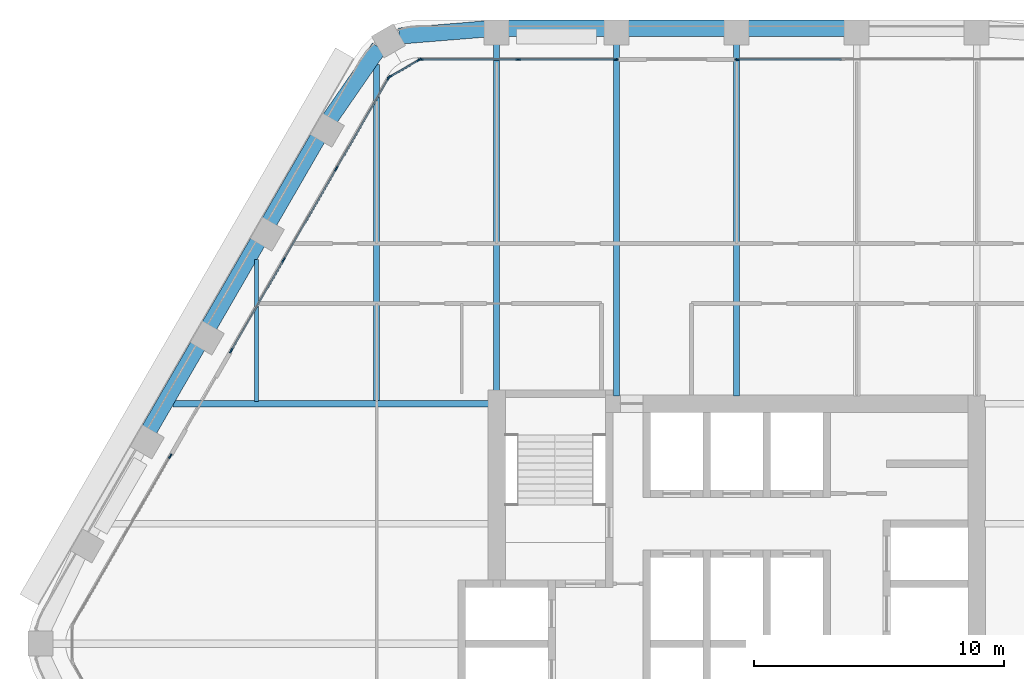
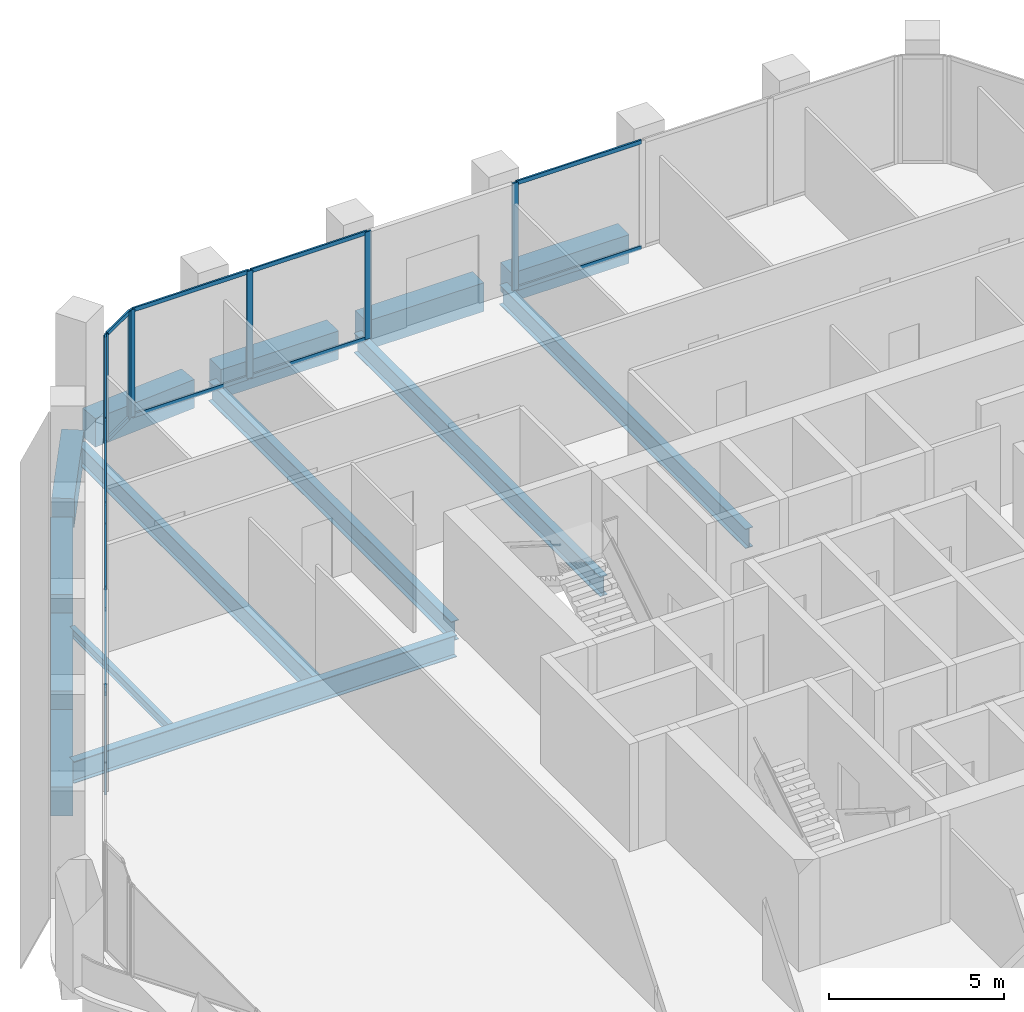
# One storey, part 5 of 15: 25 members, 14 beams, 5 elements without a shape of their own.
"""IFC4 building model written with IfcOpenShell, lengths in metres."""

import ifcopenshell
import ifcopenshell.guid

model = None  # the IFC model being written
_history = None  # IfcOwnerHistory: only IFC2X3 demands one
_inside = {}  # id of a spatial element -> (the spatial element, [elements in it])
_under = {}  # id of a project, library or spatial element -> (it, [spatial elements below it])
_declared = {}  # id of a project -> (the project, [libraries it declares])
_typed = {}  # id of a type object -> (the type object, [elements of that type])
_made_of = {}  # id of a material, layer set ... -> (it, [elements and type objects made of it])


def new_model(schema):
    """Start an empty IFC model of exactly this schema.

    Asked for "IFC4X3", IfcOpenShell would pick the latest addendum, in which some entities
    have other attributes; the version numbers below select the first issue.
    IFC2X3 requires an IfcOwnerHistory on every rooted entity: one is made here for all.
    """
    global model, _history
    if schema == "IFC4X3":
        model = ifcopenshell.file(schema_version=(4, 3, 0, 0))
    else:
        model = ifcopenshell.file(schema=schema)
    _inside.clear()
    _under.clear()
    _declared.clear()
    _typed.clear()
    _made_of.clear()
    _history = None
    if model.schema == "IFC2X3":
        org = make("IfcOrganization", Name="unknown")
        user = make(
            "IfcPersonAndOrganization",
            ThePerson=make("IfcPerson", FamilyName="unknown"),
            TheOrganization=org,
        )
        app = make(
            "IfcApplication",
            ApplicationDeveloper=org,
            Version="unknown",
            ApplicationFullName="unknown",
            ApplicationIdentifier="unknown",
        )
        _history = make(
            "IfcOwnerHistory",
            OwningUser=user,
            OwningApplication=app,
            ChangeAction="ADDED",
            CreationDate=0,
        )
    return model


def make(cls, **values):
    """One entity of the class cls with the attributes given. An attribute that is None is left unset."""
    return model.create_entity(
        cls, **{name: value for name, value in values.items() if value is not None}
    )


def rooted(cls, **values):
    """An entity with a GlobalId (a new one), such as an element, a storey or a relation."""
    return make(cls, GlobalId=ifcopenshell.guid.new(), OwnerHistory=_history, **values)


def si_unit(unit_type, name, prefix=None):
    """IfcSIUnit, for example si_unit("LENGTHUNIT", "METRE", prefix="MILLI")."""
    return make("IfcSIUnit", UnitType=unit_type, Prefix=prefix, Name=name)


def assignment(units):
    """IfcUnitAssignment: the units of a project."""
    return None if units is None else make("IfcUnitAssignment", Units=units)


def point(xyz):
    """IfcCartesianPoint."""
    return None if xyz is None else make("IfcCartesianPoint", Coordinates=xyz)


def direction(xyz):
    """IfcDirection."""
    return None if xyz is None else make("IfcDirection", DirectionRatios=xyz)


def frame(location, z_axis=None, x_axis=None):
    """IfcAxis2Placement3D, a coordinate frame: its origin and axes. An axis left out is left unset."""
    return make(
        "IfcAxis2Placement3D",
        Location=point(location),
        Axis=direction(z_axis),
        RefDirection=direction(x_axis),
    )


def frame_2d(location, x_axis=None):
    """IfcAxis2Placement2D, a coordinate frame in the plane: its origin and x axis."""
    return make(
        "IfcAxis2Placement2D", Location=point(location), RefDirection=direction(x_axis)
    )


def origin():
    """The frame at (0, 0, 0) with its axes left unset."""
    return frame((0.0, 0.0, 0.0))


def origin_2d():
    """The frame at (0, 0) in the plane with its x axis left unset."""
    return frame_2d((0.0, 0.0))


def place(relative_to, where):
    """IfcLocalPlacement: puts the frame where relative to a parent placement (None: the world)."""
    return make(
        "IfcLocalPlacement", PlacementRelTo=relative_to, RelativePlacement=where
    )


def context(
    kind, dimensions, precision=None, world=None, true_north=None, identifier=None
):
    """IfcGeometricRepresentationContext, for example the 3D "Model" context."""
    return make(
        "IfcGeometricRepresentationContext",
        ContextIdentifier=identifier,
        ContextType=kind,
        CoordinateSpaceDimension=dimensions,
        Precision=precision,
        WorldCoordinateSystem=world,
        TrueNorth=true_north,
    )


def subcontext(parent, identifier, kind, view, scale=None):
    """IfcGeometricRepresentationSubContext, for example "Body" below "Model"."""
    return make(
        "IfcGeometricRepresentationSubContext",
        ContextIdentifier=identifier,
        ContextType=kind,
        ParentContext=parent,
        TargetScale=scale,
        TargetView=view,
    )


def project(units=None, contexts=None):
    """IfcProject with its units and contexts."""
    return rooted(
        "IfcProject",
        Name="project",
        RepresentationContexts=contexts,
        UnitsInContext=assignment(units),
    )


def spatial(cls, under=None, at=None, **own):
    """A site, building, storey or space (cls), placed at a placement, below another one or the project."""
    s = rooted(cls, ObjectPlacement=at, **own)
    if under is not None:
        _under.setdefault(under.id(), (under, []))[1].append(s)
    return s


def profile(cls, at=None, kind="AREA", **sizes):
    """A parametric profile (cls). Its sizes go by their IFC names, for example OverallWidth=200.0."""
    return make(cls, ProfileType=kind, Position=at, **sizes)


def rectangle(**sizes):
    """IfcRectangleProfileDef."""
    return profile("IfcRectangleProfileDef", **sizes)


def i_section(**sizes):
    """IfcIShapeProfileDef."""
    return profile("IfcIShapeProfileDef", **sizes)


def extrude(swept, where, along, depth):
    """IfcExtrudedAreaSolid: the profile swept, set in the frame where, extruded along a direction by depth."""
    return make(
        "IfcExtrudedAreaSolid",
        SweptArea=swept,
        Position=where,
        ExtrudedDirection=direction(along),
        Depth=depth,
    )


def shape(context_of_items, identifier, shape_type, items):
    """IfcShapeRepresentation: the items that make up one representation, for example the "Body"."""
    return make(
        "IfcShapeRepresentation",
        ContextOfItems=context_of_items,
        RepresentationIdentifier=identifier,
        RepresentationType=shape_type,
        Items=items,
    )


def material(Name=None, Category=None):
    """IfcMaterial."""
    return make("IfcMaterial", Name=Name, Category=Category)


def material_profile(
    of_material, cross_section, Name=None, Category=None, Priority=None
):
    """IfcMaterialProfile: a cross section and its material."""
    return make(
        "IfcMaterialProfile",
        Name=Name,
        Material=of_material,
        Profile=cross_section,
        Priority=Priority,
        Category=Category,
    )


def profile_set(profiles, Name=None, composite=None):
    """IfcMaterialProfileSet."""
    return make(
        "IfcMaterialProfileSet",
        Name=Name,
        MaterialProfiles=profiles,
        CompositeProfile=composite,
    )


def made_of(thing, what):
    """Note that an element or type object is made of a material, layer set ...; save() writes the relation."""
    if what is not None:
        _made_of.setdefault(what.id(), (what, []))[1].append(thing)
    return thing


def type_object(cls, material=None, **own):
    """A type object (cls), such as IfcWallType, which elements share."""
    return made_of(rooted(cls, **own), material)


def element(
    cls,
    number,
    at=None,
    inside=None,
    cuts=None,
    type_object=None,
    material=None,
    context=None,
    identifier="Body",
    shape_type=None,
    held_by="IfcProductDefinitionShape",
    body=None,
    shapes=None,
    **own,
):
    """One element of the class cls, such as IfcWall. Its Tag is "e" and its number.

    at: its placement. inside: the storey or other place that contains it. cuts: it is an
    opening in that element (IfcRelVoidsElement). A single representation is given by context,
    identifier, shape_type and body (its items); several are given by shapes. held_by: the class
    of the entity that holds the representations. save() writes the other relations.
    """
    e = rooted(cls, Tag="e%d" % number, ObjectPlacement=at, **own)
    if body is not None:
        shapes = [shape(context, identifier, shape_type, body)]
    if shapes is not None:
        e.Representation = make(held_by, Representations=shapes)
    if inside is not None:
        _inside.setdefault(inside.id(), (inside, []))[1].append(e)
    if cuts is not None:
        rooted(
            "IfcRelVoidsElement", RelatingBuildingElement=cuts, RelatedOpeningElement=e
        )
    if type_object is not None:
        _typed.setdefault(type_object.id(), (type_object, []))[1].append(e)
    return made_of(e, material)


def aggregate(whole, parts):
    """IfcRelAggregates: a whole, such as a stair, and the parts it consists of."""
    return rooted("IfcRelAggregates", RelatingObject=whole, RelatedObjects=parts)


def save(model, path):
    """Write the relations noted so far, then the file.

    IfcRelAggregates (storeys below a building ...), IfcRelContainedInSpatialStructure (elements
    in a storey), IfcRelDefinesByType, IfcRelAssociatesMaterial and IfcRelDeclares: one each for
    every whole, place, type object, material and project.
    """
    for whole, parts in _under.values():
        aggregate(whole, parts)
    for where, things in _inside.values():
        rooted(
            "IfcRelContainedInSpatialStructure",
            RelatedElements=things,
            RelatingStructure=where,
        )
    for kind, things in _typed.values():
        rooted("IfcRelDefinesByType", RelatedObjects=things, RelatingType=kind)
    for what, things in _made_of.values():
        rooted("IfcRelAssociatesMaterial", RelatedObjects=things, RelatingMaterial=what)
    for by, libraries in _declared.values():
        rooted("IfcRelDeclares", RelatingContext=by, RelatedDefinitions=libraries)
    model.write(path)


model = new_model("IFC4")

# Units and contexts
model_context = context("Model", 3, precision=1e-05, world=origin(), true_north=direction((0.0, 1.0)))
body_context = subcontext(model_context, "Body", "Model", "MODEL_VIEW")
ifc_project = project(units=[si_unit("LENGTHUNIT", "METRE"), si_unit("AREAUNIT", "SQUARE_METRE"), si_unit("VOLUMEUNIT", "CUBIC_METRE"), si_unit("PLANEANGLEUNIT", "RADIAN"), si_unit("MASSUNIT", "GRAM", prefix="KILO")], contexts=[model_context])

# Site, building, storey
site_placement = place(None, origin())
site = spatial("IfcSite", under=ifc_project, at=site_placement, CompositionType="ELEMENT")
building_placement = place(site_placement, origin())
building = spatial("IfcBuilding", under=site, at=building_placement, Name="Kolab Exchange Tower", CompositionType="ELEMENT")
storey_placement = place(building_placement, frame((0.0, 0.0, 205.10009765625)))
storey = spatial("IfcBuildingStorey", under=building, at=storey_placement, Name="L44", CompositionType="ELEMENT", Elevation=205.10009765625)

# Beams
ifc_material_1 = material(Name="Steel S355", Category="steel")
ifc_material_profile_1 = material_profile(ifc_material_1, i_section(OverallWidth=0.1650390625, OverallDepth=0.31005859375, WebThickness=0.005859375, FlangeThickness=0.009765625, at=origin_2d()), Name="W310X39")
ifc_profile_set_1 = profile_set([ifc_material_profile_1], Name="Steel S355")
beam_type_1 = type_object("IfcBeamType", Name="FLOOR BEAM W310X39", PredefinedType="BEAM", material=ifc_profile_set_1)
beam_1_placement = place(storey_placement, frame((-19.199951171875, 9.693603515625, -0.30517578125), z_axis=(0.0, 1.0, 0.0), x_axis=(-1.0, 0.0, 0.0)))
element("IfcBeam", 1, at=beam_1_placement, inside=storey, type_object=beam_type_1, Name="beam/L44/fr/004", PredefinedType="BEAM", context=body_context, shape_type="SweptSolid", body=[
    extrude(i_section(OverallWidth=0.1650390625, OverallDepth=0.31005859375, WebThickness=0.005859375, FlangeThickness=0.009765625, at=origin_2d()), origin(), (0.0, 0.0, 1.0), 5.674072265625),
])
ifc_material_profile_2 = material_profile(ifc_material_1, i_section(OverallWidth=0.25390625, OverallDepth=0.68408203125, WebThickness=0.012451171875, FlangeThickness=0.018798828125, at=origin_2d()), Name="W690X140")
ifc_profile_set_2 = profile_set([ifc_material_profile_2], Name="Steel S355")
beam_type_2 = type_object("IfcBeamType", Name="FLOOR BEAM W690X140", PredefinedType="BEAM", material=ifc_profile_set_2)
beam_2_placement = place(storey_placement, frame((-14.39990234375, 9.693603515625, -0.4921875), z_axis=(0.0, 1.0, 0.0), x_axis=(-1.0, 0.0, 0.0)))
element("IfcBeam", 2, at=beam_2_placement, inside=storey, type_object=beam_type_2, Name="beam/L44/fr/006", PredefinedType="BEAM", context=body_context, shape_type="SweptSolid", body=[
    extrude(i_section(OverallWidth=0.25390625, OverallDepth=0.68408203125, WebThickness=0.012451171875, FlangeThickness=0.018798828125, at=origin_2d()), origin(), (0.0, 0.0, 1.0), 13.462158203125),
])
beam_3_placement = place(storey_placement, frame((-9.60009765625, 10.110107421875, -0.4921875), z_axis=(0.0, 1.0, 0.0), x_axis=(-1.0, 0.0, 0.0)))
element("IfcBeam", 3, at=beam_3_placement, inside=storey, type_object=beam_type_2, Name="beam/L44/fr/008", PredefinedType="BEAM", context=body_context, shape_type="SweptSolid", body=[
    extrude(i_section(OverallWidth=0.25390625, OverallDepth=0.68408203125, WebThickness=0.012451171875, FlangeThickness=0.018798828125, at=origin_2d()), origin(), (0.0, 0.0, 1.0), 13.871337890625),
])
for number, where, z_axis, x_axis, name in (
    (4, (-4.800048828125, 9.909912109375, -0.4921875), (0.0, 1.0, 0.0), (-1.0, 0.0, 0.0), "beam/L44/fr/010"),
    (5, (0.0, 9.909912109375, -0.4921875), (0.0, 1.0, 0.0), (-1.0, 0.0, 0.0), "beam/L44/fr/012"),
):
    element("IfcBeam", number, at=place(storey_placement, frame(where, z_axis=z_axis, x_axis=x_axis)), inside=storey, type_object=beam_type_2, Name=name, PredefinedType="BEAM", context=body_context, shape_type="SweptSolid", body=[
        extrude(i_section(OverallWidth=0.25390625, OverallDepth=0.68408203125, WebThickness=0.012451171875, FlangeThickness=0.018798828125, at=origin_2d()), origin(), (0.0, 0.0, 1.0), 14.071533203125),
    ])
ifc_material_profile_3 = material_profile(ifc_material_1, i_section(OverallWidth=0.26708984375, OverallDepth=0.761962890625, WebThickness=0.014404296875, FlangeThickness=0.021484375, at=origin_2d()), Name="W760X173")
ifc_profile_set_3 = profile_set([ifc_material_profile_3], Name="Steel S355")
beam_type_3 = type_object("IfcBeamType", Name="FLOOR GIRDER W760X173", PredefinedType="BEAM", material=ifc_profile_set_3)
beam_4_placement = place(storey_placement, frame((-22.546875, 9.60009765625, -0.531005859375), z_axis=(1.0, 0.0, 0.0), x_axis=(0.0, 1.0, 0.0)))
element("IfcBeam", 6, at=beam_4_placement, inside=storey, type_object=beam_type_3, Name="beam/L44/gd/001", PredefinedType="BEAM", context=body_context, shape_type="SweptSolid", body=[
    extrude(i_section(OverallWidth=0.26708984375, OverallDepth=0.761962890625, WebThickness=0.014404296875, FlangeThickness=0.021484375, at=origin_2d()), origin(), (0.0, 0.0, 1.0), 12.636962890625),
])
ifc_material_2 = material(Name="Concrete C60/75", Category="concrete")
ifc_material_profile_4 = material_profile(ifc_material_2, rectangle(XDim=0.64990234375, YDim=1.0, at=origin_2d()), Name="RC650X1000")
ifc_profile_set_4 = profile_set([ifc_material_profile_4], Name="Concrete C60/75")
beam_type_4 = type_object("IfcBeamType", Name="SPANDREL BEAM 650X1000 C60/75", PredefinedType="BEAM", material=ifc_profile_set_4)
beam_5_placement = place(storey_placement, frame((-13.493896484375, 24.2998046875, -0.650146484375), z_axis=(0.996708497182, 0.081068931445, 0.0), x_axis=(-0.081068931445, 0.996708497182, 0.0)))
element("IfcBeam", 7, at=beam_5_placement, inside=storey, type_object=beam_type_4, Name="beam/L44/sp/F1-01", PredefinedType="BEAM", context=body_context, shape_type="SweptSolid", body=[
    extrude(rectangle(XDim=0.64990234375, YDim=1.0, at=origin_2d()), origin(), (0.0, 0.0, 1.0), 3.445068359375),
])
beam_6_placement = place(storey_placement, frame((-9.139892578125, 24.616455078125, -0.650146484375), z_axis=(1.0, 0.0, 0.0), x_axis=(0.0, 1.0, 0.0)))
element("IfcBeam", 8, at=beam_6_placement, inside=storey, type_object=beam_type_4, Name="beam/L44/sp/F1-02", PredefinedType="BEAM", context=body_context, shape_type="SweptSolid", body=[
    extrude(rectangle(XDim=0.64990234375, YDim=1.0, at=origin_2d()), origin(), (0.0, 0.0, 1.0), 3.8798828125),
])
for number, where, z_axis, x_axis, name in (
    (9, (-4.340087890625, 24.616455078125, -0.650146484375), (1.0, 0.0, 0.0), (0.0, 1.0, 0.0), "beam/L44/sp/F1-03"),
    (10, (0.4599609375, 24.616455078125, -0.650146484375), (1.0, 0.0, 0.0), (0.0, 1.0, 0.0), "beam/L44/sp/F1-04"),
):
    element("IfcBeam", number, at=place(storey_placement, frame(where, z_axis=z_axis, x_axis=x_axis)), inside=storey, type_object=beam_type_4, Name=name, PredefinedType="BEAM", context=body_context, shape_type="SweptSolid", body=[
        extrude(rectangle(XDim=0.64990234375, YDim=1.0, at=origin_2d()), origin(), (0.0, 0.0, 1.0), 3.880126953125),
    ])
beam_7_placement = place(storey_placement, frame((-23.488525390625, 8.5498046875, -0.650146484375), z_axis=(0.499996613652, 0.866027358884, 0.0), x_axis=(-0.866027358884, 0.499996613652, 0.0)))
element("IfcBeam", 11, at=beam_7_placement, inside=storey, type_object=beam_type_4, Name="beam/L44/sp/F6-03", PredefinedType="BEAM", context=body_context, shape_type="SweptSolid", body=[
    extrude(rectangle(XDim=0.64990234375, YDim=1.0, at=origin_2d()), origin(), (0.0, 0.0, 1.0), 3.8798828125),
])
beam_8_placement = place(storey_placement, frame((-21.088623046875, 12.70654296875, -0.650146484375), z_axis=(0.50001655835, 0.866015843605, 0.0), x_axis=(-0.866015843605, 0.50001655835, 0.0)))
element("IfcBeam", 12, at=beam_8_placement, inside=storey, type_object=beam_type_4, Name="beam/L44/sp/F6-04", PredefinedType="BEAM", context=body_context, shape_type="SweptSolid", body=[
    extrude(rectangle(XDim=0.64990234375, YDim=1.0, at=origin_2d()), origin(), (0.0, 0.0, 1.0), 3.880126953125),
])
beam_9_placement = place(storey_placement, frame((-18.6884765625, 16.863525390625, -0.650146484375), z_axis=(0.499996613652, 0.866027358884, 0.0), x_axis=(-0.866027358884, 0.499996613652, 0.0)))
element("IfcBeam", 13, at=beam_9_placement, inside=storey, type_object=beam_type_4, Name="beam/L44/sp/F6-05", PredefinedType="BEAM", context=body_context, shape_type="SweptSolid", body=[
    extrude(rectangle(XDim=0.64990234375, YDim=1.0, at=origin_2d()), origin(), (0.0, 0.0, 1.0), 3.8798828125),
])
beam_10_placement = place(storey_placement, frame((-16.256103515625, 21.001953125, -0.650146484375), z_axis=(0.568572281073, 0.822633309073, 0.0), x_axis=(-0.822633309073, 0.568572281073, 0.0)))
element("IfcBeam", 14, at=beam_10_placement, inside=storey, type_object=beam_type_4, Name="beam/L44/sp/F6-06", PredefinedType="BEAM", context=body_context, shape_type="SweptSolid", body=[
    extrude(rectangle(XDim=0.64990234375, YDim=1.0, at=origin_2d()), origin(), (0.0, 0.0, 1.0), 3.445068359375),
])

# Curtain wall, members
ifc_material_3 = material(Name="Aluminium EN AW-6063 T6", Category="aluminium")
curtain_wall_type = type_object("IfcCurtainWallType", Name="UNITISED UPPER MID ZONE CURTAIN WALL", PredefinedType="NOTDEFINED", material=ifc_material_3)
curtain_wall_1_placement = place(storey_placement, origin())
curtain_wall_1 = element("IfcCurtainWall", 15, at=curtain_wall_1_placement, inside=storey, type_object=curtain_wall_type, Name="cw/L44/F1-1", PredefinedType="NOTDEFINED")
ifc_material_profile_5 = material_profile(ifc_material_3, rectangle(XDim=0.06005859375, YDim=0.199951171875, at=origin_2d()), Name="RECT 60X200")
ifc_profile_set_5 = profile_set([ifc_material_profile_5], Name="Aluminium EN AW-6063 T6")
member_type_1 = type_object("IfcMemberType", Name="UNITISED UPPER MID ZONE MULLION 60 X 200", PredefinedType="MULLION", material=ifc_profile_set_5)
member_1_placement = place(storey_placement, frame((-12.637939453125, 23.361572265625, 0.0), z_axis=(0.0, 0.0, 1.0), x_axis=(0.0, 1.0, 0.0)))
member_1 = element("IfcMember", 16, at=member_1_placement, type_object=member_type_1, Name="CW3 mullion 1", PredefinedType="MULLION", context=body_context, shape_type="SweptSolid", body=[
    extrude(rectangle(XDim=0.06005859375, YDim=0.199951171875, at=origin_2d()), origin(), (0.0, 0.0, 1.0), 3.75),
])
member_2_placement = place(storey_placement, frame((-8.73388671875, 23.361572265625, 0.0), z_axis=(0.0, 0.0, 1.0), x_axis=(0.0, 1.0, 0.0)))
member_2 = element("IfcMember", 17, at=member_2_placement, type_object=member_type_1, Name="CW3 mullion 2", PredefinedType="MULLION", context=body_context, shape_type="SweptSolid", body=[
    extrude(rectangle(XDim=0.06005859375, YDim=0.199951171875, at=origin_2d()), origin(), (0.0, 0.0, 1.0), 3.75),
])
member_3_placement = place(storey_placement, frame((-4.830078125, 23.361572265625, 0.0), z_axis=(0.0, 0.0, 1.0), x_axis=(0.0, 1.0, 0.0)))
member_3 = element("IfcMember", 18, at=member_3_placement, type_object=member_type_1, Name="CW3 mullion 3", PredefinedType="MULLION", context=body_context, shape_type="SweptSolid", body=[
    extrude(rectangle(XDim=0.06005859375, YDim=0.199951171875, at=origin_2d()), origin(), (0.0, 0.0, 1.0), 3.75),
])

# Curtain wall, member
curtain_wall_2_placement = place(storey_placement, origin())
curtain_wall_2 = element("IfcCurtainWall", 19, at=curtain_wall_2_placement, inside=storey, type_object=curtain_wall_type, Name="cw/L44/F1-2", PredefinedType="NOTDEFINED")
member_4_placement = place(storey_placement, frame((0.030029296875, 23.361572265625, 0.0), z_axis=(0.0, 0.0, 1.0), x_axis=(0.0, 1.0, 0.0)))
member_4 = element("IfcMember", 20, at=member_4_placement, type_object=member_type_1, Name="CW3 mullion 1", PredefinedType="MULLION", context=body_context, shape_type="SweptSolid", body=[
    extrude(rectangle(XDim=0.06005859375, YDim=0.199951171875, at=origin_2d()), origin(), (0.0, 0.0, 1.0), 3.75),
])

curtain_wall_3_placement = place(storey_placement, origin())
curtain_wall_3 = element("IfcCurtainWall", 21, at=curtain_wall_3_placement, inside=storey, type_object=curtain_wall_type, Name="cw/L44/F6-1", PredefinedType="NOTDEFINED")
member_5_placement = place(storey_placement, frame((-22.646728515625, 7.497802734375, 0.0), z_axis=(0.0, 0.0, 1.0), x_axis=(-0.866025440524, 0.499999936366, 0.0)))
member_5 = element("IfcMember", 22, at=member_5_placement, type_object=member_type_1, Name="CW3 mullion 3", PredefinedType="MULLION", context=body_context, shape_type="SweptSolid", body=[
    extrude(rectangle(XDim=0.06005859375, YDim=0.199951171875, at=origin_2d()), origin(), (0.0, 0.0, 1.0), 3.75),
])
aggregate(curtain_wall_3, [member_5])

# Curtain wall, members
curtain_wall_4_placement = place(storey_placement, origin())
curtain_wall_4 = element("IfcCurtainWall", 23, at=curtain_wall_4_placement, inside=storey, type_object=curtain_wall_type, Name="cw/L44/F6-2", PredefinedType="NOTDEFINED")
member_6_placement = place(storey_placement, frame((-20.216796875, 11.706787109375, 0.0), z_axis=(0.0, 0.0, 1.0), x_axis=(-0.866025393644, 0.500000017564, 0.0)))
member_6 = element("IfcMember", 24, at=member_6_placement, type_object=member_type_1, Name="CW3 mullion 1", PredefinedType="MULLION", context=body_context, shape_type="SweptSolid", body=[
    extrude(rectangle(XDim=0.06005859375, YDim=0.199951171875, at=origin_2d()), origin(), (0.0, 0.0, 1.0), 3.75),
])
member_7_placement = place(storey_placement, frame((-18.120361328125, 15.337646484375, 0.0), z_axis=(0.0, 0.0, 1.0), x_axis=(-0.866025393644, 0.500000017564, 0.0)))
member_7 = element("IfcMember", 25, at=member_7_placement, type_object=member_type_1, Name="CW3 mullion 2", PredefinedType="MULLION", context=body_context, shape_type="SweptSolid", body=[
    extrude(rectangle(XDim=0.06005859375, YDim=0.199951171875, at=origin_2d()), origin(), (0.0, 0.0, 1.0), 3.75),
])
member_8_placement = place(storey_placement, frame((-16.009033203125, 18.99462890625, 0.0), z_axis=(0.0, 0.0, 1.0), x_axis=(-0.866025393644, 0.500000017564, 0.0)))
member_8 = element("IfcMember", 26, at=member_8_placement, type_object=member_type_1, Name="CW3 mullion 3", PredefinedType="MULLION", context=body_context, shape_type="SweptSolid", body=[
    extrude(rectangle(XDim=0.06005859375, YDim=0.199951171875, at=origin_2d()), origin(), (0.0, 0.0, 1.0), 3.75),
])
member_9_placement = place(storey_placement, frame((-13.91259765625, 22.62548828125, 0.0), z_axis=(0.0, 0.0, 1.0), x_axis=(-0.866025393644, 0.500000017564, 0.0)))
member_9 = element("IfcMember", 27, at=member_9_placement, type_object=member_type_1, Name="CW3 mullion 4", PredefinedType="MULLION", context=body_context, shape_type="SweptSolid", body=[
    extrude(rectangle(XDim=0.06005859375, YDim=0.199951171875, at=origin_2d()), origin(), (0.0, 0.0, 1.0), 3.75),
])

curtain_wall_5_placement = place(storey_placement, origin())
curtain_wall_5 = element("IfcCurtainWall", 28, at=curtain_wall_5_placement, inside=storey, type_object=curtain_wall_type, Name="cw/L44/F6F1-corner", PredefinedType="NOTDEFINED")
member_10_placement = place(storey_placement, frame((-13.871826171875, 22.66650390625, 0.0), z_axis=(0.0, 0.0, 1.0), x_axis=(-0.50000002237, 0.866025390869, 0.0)))
member_10 = element("IfcMember", 29, at=member_10_placement, type_object=member_type_1, Name="CW3 mullion 1", PredefinedType="MULLION", context=body_context, shape_type="SweptSolid", body=[
    extrude(rectangle(XDim=0.06005859375, YDim=0.199951171875, at=origin_2d()), origin(), (0.0, 0.0, 1.0), 3.75),
])
member_11_placement = place(storey_placement, frame((-12.69384765625, 23.346435546875, 0.0), z_axis=(0.0, 0.0, 1.0), x_axis=(-0.50000002237, 0.866025390869, 0.0)))
member_11 = element("IfcMember", 30, at=member_11_placement, type_object=member_type_1, Name="CW3 mullion 2", PredefinedType="MULLION", context=body_context, shape_type="SweptSolid", body=[
    extrude(rectangle(XDim=0.06005859375, YDim=0.199951171875, at=origin_2d()), origin(), (0.0, 0.0, 1.0), 3.75),
])

# Member
ifc_material_profile_6 = material_profile(ifc_material_3, rectangle(XDim=0.06005859375, YDim=0.139892578125, at=origin_2d()), Name="RECT 60X140")
ifc_profile_set_6 = profile_set([ifc_material_profile_6], Name="Aluminium EN AW-6063 T6")
member_type_2 = type_object("IfcMemberType", Name="UNITISED UPPER MID ZONE TRANSOM 60 X 140", PredefinedType="USERDEFINED", material=ifc_profile_set_6)
member_12_placement = place(storey_placement, frame((-12.60791015625, 23.361572265625, 0.02978515625), z_axis=(1.0, 0.0, 0.0), x_axis=(0.0, 1.0, 0.0)))
member_12 = element("IfcMember", 31, at=member_12_placement, type_object=member_type_2, Name="CW3 transom 1.1", ObjectType="TRANSOM", PredefinedType="USERDEFINED", context=body_context, shape_type="SweptSolid", body=[
    extrude(rectangle(XDim=0.06005859375, YDim=0.139892578125, at=origin_2d()), origin(), (0.0, 0.0, 1.0), 3.843994140625),
])

member_13_placement = place(storey_placement, frame((-12.60791015625, 23.361572265625, 3.719970703125), z_axis=(1.0, 0.0, 0.0), x_axis=(0.0, 1.0, 0.0)))
member_13 = element("IfcMember", 32, at=member_13_placement, type_object=member_type_2, Name="CW3 transom 1.2", ObjectType="TRANSOM", PredefinedType="USERDEFINED", context=body_context, shape_type="SweptSolid", body=[
    extrude(rectangle(XDim=0.06005859375, YDim=0.139892578125, at=origin_2d()), origin(), (0.0, 0.0, 1.0), 3.843994140625),
])

member_14_placement = place(storey_placement, frame((-8.703857421875, 23.361572265625, 0.02978515625), z_axis=(1.0, 0.0, 0.0), x_axis=(0.0, 1.0, 0.0)))
member_14 = element("IfcMember", 33, at=member_14_placement, type_object=member_type_2, Name="CW3 transom 2.1", ObjectType="TRANSOM", PredefinedType="USERDEFINED", context=body_context, shape_type="SweptSolid", body=[
    extrude(rectangle(XDim=0.06005859375, YDim=0.139892578125, at=origin_2d()), origin(), (0.0, 0.0, 1.0), 3.84375),
])

member_15_placement = place(storey_placement, frame((-8.703857421875, 23.361572265625, 3.719970703125), z_axis=(1.0, 0.0, 0.0), x_axis=(0.0, 1.0, 0.0)))
member_15 = element("IfcMember", 34, at=member_15_placement, type_object=member_type_2, Name="CW3 transom 2.2", ObjectType="TRANSOM", PredefinedType="USERDEFINED", context=body_context, shape_type="SweptSolid", body=[
    extrude(rectangle(XDim=0.06005859375, YDim=0.139892578125, at=origin_2d()), origin(), (0.0, 0.0, 1.0), 3.84375),
])

aggregate(curtain_wall_1, [member_1, member_2, member_3, member_12, member_13, member_14, member_15])

member_16_placement = place(storey_placement, frame((0.06005859375, 23.361572265625, 0.02978515625), z_axis=(1.0, 0.0, 0.0), x_axis=(0.0, 1.0, 0.0)))
member_16 = element("IfcMember", 35, at=member_16_placement, type_object=member_type_2, Name="CW3 transom 1.1", ObjectType="TRANSOM", PredefinedType="USERDEFINED", context=body_context, shape_type="SweptSolid", body=[
    extrude(rectangle(XDim=0.06005859375, YDim=0.139892578125, at=origin_2d()), origin(), (0.0, 0.0, 1.0), 4.132568359375),
])

member_17_placement = place(storey_placement, frame((0.06005859375, 23.361572265625, 3.719970703125), z_axis=(1.0, 0.0, 0.0), x_axis=(0.0, 1.0, 0.0)))
member_17 = element("IfcMember", 36, at=member_17_placement, type_object=member_type_2, Name="CW3 transom 1.2", ObjectType="TRANSOM", PredefinedType="USERDEFINED", context=body_context, shape_type="SweptSolid", body=[
    extrude(rectangle(XDim=0.06005859375, YDim=0.139892578125, at=origin_2d()), origin(), (0.0, 0.0, 1.0), 4.132568359375),
])

aggregate(curtain_wall_2, [member_4, member_16, member_17])

member_18_placement = place(storey_placement, frame((-20.20166015625, 11.732666015625, 0.02978515625), z_axis=(0.500001996123, 0.866024251319, 0.0), x_axis=(-0.866024251319, 0.500001996123, 0.0)))
member_18 = element("IfcMember", 37, at=member_18_placement, type_object=member_type_2, Name="CW3 transom 1.1", ObjectType="TRANSOM", PredefinedType="USERDEFINED", context=body_context, shape_type="SweptSolid", body=[
    extrude(rectangle(XDim=0.06005859375, YDim=0.139892578125, at=origin_2d()), origin(), (0.0, 0.0, 1.0), 4.1328125),
])

member_19_placement = place(storey_placement, frame((-20.20166015625, 11.732666015625, 3.719970703125), z_axis=(0.500001996123, 0.866024251319, 0.0), x_axis=(-0.866024251319, 0.500001996123, 0.0)))
member_19 = element("IfcMember", 38, at=member_19_placement, type_object=member_type_2, Name="CW3 transom 1.2", ObjectType="TRANSOM", PredefinedType="USERDEFINED", context=body_context, shape_type="SweptSolid", body=[
    extrude(rectangle(XDim=0.06005859375, YDim=0.139892578125, at=origin_2d()), origin(), (0.0, 0.0, 1.0), 4.1328125),
])

member_20_placement = place(storey_placement, frame((-18.10546875, 15.36376953125, 0.02978515625), z_axis=(0.500037208726, 0.86600392025, 0.0), x_axis=(-0.86600392025, 0.500037208726, 0.0)))
member_20 = element("IfcMember", 39, at=member_20_placement, type_object=member_type_2, Name="CW3 transom 2.1", ObjectType="TRANSOM", PredefinedType="USERDEFINED", context=body_context, shape_type="SweptSolid", body=[
    extrude(rectangle(XDim=0.06005859375, YDim=0.139892578125, at=origin_2d()), origin(), (0.0, 0.0, 1.0), 4.162841796875),
])

member_21_placement = place(storey_placement, frame((-18.10546875, 15.36376953125, 3.719970703125), z_axis=(0.500037208726, 0.86600392025, 0.0), x_axis=(-0.86600392025, 0.500037208726, 0.0)))
member_21 = element("IfcMember", 40, at=member_21_placement, type_object=member_type_2, Name="CW3 transom 2.2", ObjectType="TRANSOM", PredefinedType="USERDEFINED", context=body_context, shape_type="SweptSolid", body=[
    extrude(rectangle(XDim=0.06005859375, YDim=0.139892578125, at=origin_2d()), origin(), (0.0, 0.0, 1.0), 4.162841796875),
])

member_22_placement = place(storey_placement, frame((-15.994140625, 19.0205078125, 0.02978515625), z_axis=(0.500001996123, 0.866024251319, 0.0), x_axis=(-0.866024251319, 0.500001996123, 0.0)))
member_22 = element("IfcMember", 41, at=member_22_placement, type_object=member_type_2, Name="CW3 transom 3.1", ObjectType="TRANSOM", PredefinedType="USERDEFINED", context=body_context, shape_type="SweptSolid", body=[
    extrude(rectangle(XDim=0.06005859375, YDim=0.139892578125, at=origin_2d()), origin(), (0.0, 0.0, 1.0), 4.1328125),
])

member_23_placement = place(storey_placement, frame((-15.994140625, 19.0205078125, 3.719970703125), z_axis=(0.500001996123, 0.866024251319, 0.0), x_axis=(-0.866024251319, 0.500001996123, 0.0)))
member_23 = element("IfcMember", 42, at=member_23_placement, type_object=member_type_2, Name="CW3 transom 3.2", ObjectType="TRANSOM", PredefinedType="USERDEFINED", context=body_context, shape_type="SweptSolid", body=[
    extrude(rectangle(XDim=0.06005859375, YDim=0.139892578125, at=origin_2d()), origin(), (0.0, 0.0, 1.0), 4.1328125),
])

aggregate(curtain_wall_4, [member_6, member_7, member_8, member_9, member_18, member_19, member_20, member_21, member_22, member_23])

member_24_placement = place(storey_placement, frame((-13.845703125, 22.681640625, 0.02978515625), z_axis=(0.86603858612, 0.49997716683, 0.0), x_axis=(-0.49997716683, 0.86603858612, 0.0)))
member_24 = element("IfcMember", 43, at=member_24_placement, type_object=member_type_2, Name="CW3 transom 1.1", ObjectType="TRANSOM", PredefinedType="USERDEFINED", context=body_context, shape_type="SweptSolid", body=[
    extrude(rectangle(XDim=0.06005859375, YDim=0.139892578125, at=origin_2d()), origin(), (0.0, 0.0, 1.0), 1.2998046875),
])

member_25_placement = place(storey_placement, frame((-13.845703125, 22.681640625, 3.719970703125), z_axis=(0.86603858612, 0.49997716683, 0.0), x_axis=(-0.49997716683, 0.86603858612, 0.0)))
member_25 = element("IfcMember", 44, at=member_25_placement, type_object=member_type_2, Name="CW3 transom 1.2", ObjectType="TRANSOM", PredefinedType="USERDEFINED", context=body_context, shape_type="SweptSolid", body=[
    extrude(rectangle(XDim=0.06005859375, YDim=0.139892578125, at=origin_2d()), origin(), (0.0, 0.0, 1.0), 1.2998046875),
])

aggregate(curtain_wall_5, [member_10, member_11, member_24, member_25])

save(model, "model.ifc")
